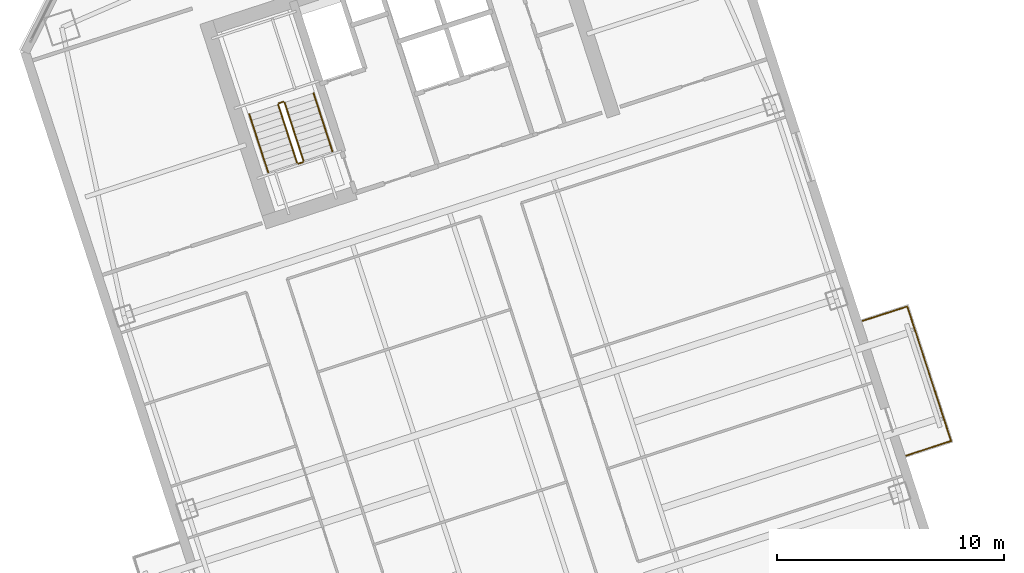
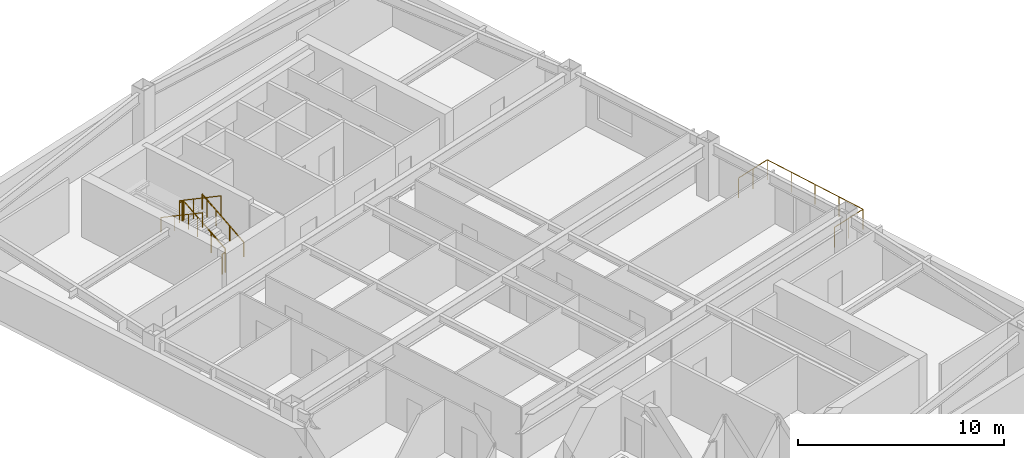
# One storey, part 22 of 22: 7 railings.
"""IFC4 building model written with IfcOpenShell, lengths in metres."""

from ifc_helpers import new_model, si_unit, direction, frame, origin, origin_2d, place, context, subcontext, project, spatial, circle, extrude, material, type_object, element, save


model = new_model("IFC4")

# Units and contexts
model_context = context("Model", 3, precision=1e-05, world=origin(), true_north=direction((0.0, 1.0)))
body_context = subcontext(model_context, "Body", "Model", "MODEL_VIEW")
ifc_project = project(units=[si_unit("LENGTHUNIT", "METRE"), si_unit("AREAUNIT", "SQUARE_METRE"), si_unit("VOLUMEUNIT", "CUBIC_METRE"), si_unit("PLANEANGLEUNIT", "RADIAN"), si_unit("MASSUNIT", "GRAM", prefix="KILO")], contexts=[model_context])

# Site, building, storey
site_placement = place(None, origin())
site = spatial("IfcSite", under=ifc_project, at=site_placement, CompositionType="ELEMENT")
building_placement = place(site_placement, origin())
building = spatial("IfcBuilding", under=site, at=building_placement, Name="Qiaolan Cultural Towers", CompositionType="ELEMENT")
storey_placement = place(building_placement, frame((0.0, 0.0, 146.050048828125)))
storey = spatial("IfcBuildingStorey", under=building, at=storey_placement, Name="L38", CompositionType="ELEMENT", Elevation=146.050048828125)

# Railings
ifc_material_1 = material(Name="Laminated SentryGlas & Stainless Steel S31608 Balustrade", Category="steel")
railing_type_1 = type_object("IfcRailingType", Name="GRD-TERR-1200", PredefinedType="BALUSTRADE", material=ifc_material_1)
railing_1_placement = place(storey_placement, frame((107.39794921875, 31.74609375, 0.0)))
element("IfcRailing", 1, at=railing_1_placement, inside=storey, type_object=railing_type_1, Name="L38 T2 Tree Balcony Guardrail E", PredefinedType="BALUSTRADE", context=body_context, shape_type="SweptSolid", body=[
    extrude(circle(Radius=0.02392578125, at=origin_2d()), frame((0.0, 0.0, 1.17578125), z_axis=(0.951061799618, 0.309000733507, 0.0), x_axis=(-0.309000733507, 0.951061799618, 0.0)), (0.0, 0.0, 1.0), 2.070068359375),
    extrude(circle(Radius=0.02392578125, at=origin_2d()), frame((1.96875, 0.6396484375, 1.17578125), z_axis=(-0.30901175762, 0.951058217804, 0.0), x_axis=(-0.951058217804, -0.30901175762, 0.0)), (0.0, 0.0, 1.0), 6.239990234375),
    extrude(circle(Radius=0.02392578125, at=origin_2d()), frame((0.04052734375, 6.57421875, 1.17578125), z_axis=(-0.951061799618, -0.309000733507, 0.0), x_axis=(0.309000733507, -0.951061799618, 0.0)), (0.0, 0.0, 1.0), 2.070068359375),
    extrude(circle(Radius=0.02099609375, at=origin_2d()), origin(), (0.0, 0.0, 1.0), 1.15185546875),
    extrude(circle(Radius=0.02099609375, at=origin_2d()), frame((0.984375, 0.31982421875, 0.0)), (0.0, 0.0, 1.0), 1.15185546875),
    extrude(circle(Radius=0.02099609375, at=origin_2d()), frame((1.96875, 0.6396484375, 0.0)), (0.0, 0.0, 1.0), 1.15185546875),
    extrude(circle(Radius=0.02099609375, at=origin_2d()), frame((1.48681640625, 2.123291015625, 0.0)), (0.0, 0.0, 1.0), 1.15185546875),
    extrude(circle(Radius=0.02099609375, at=origin_2d()), frame((1.004638671875, 3.60693359375, 0.0)), (0.0, 0.0, 1.0), 1.15185546875),
    extrude(circle(Radius=0.02099609375, at=origin_2d()), frame((0.5224609375, 5.090576171875, 0.0)), (0.0, 0.0, 1.0), 1.15185546875),
    extrude(circle(Radius=0.02099609375, at=origin_2d()), frame((0.04052734375, 6.57421875, 0.0)), (0.0, 0.0, 1.0), 1.15185546875),
    extrude(circle(Radius=0.02099609375, at=origin_2d()), frame((-0.94384765625, 6.25439453125, 0.0)), (0.0, 0.0, 1.0), 1.15185546875),
    extrude(circle(Radius=0.02099609375, at=origin_2d()), frame((-1.92822265625, 5.9345703125, 0.0)), (0.0, 0.0, 1.0), 1.15185546875),
])
ifc_material_2 = material(Name="Galvanized Painted Steel Stair Guardrail", Category="steel")
railing_type_2 = type_object("IfcRailingType", Name="RL-STAIR-GRD", PredefinedType="GUARDRAIL", material=ifc_material_2)
railing_2_placement = place(storey_placement, frame((80.822021484375, 44.739501953125, 0.17236328125)))
element("IfcRailing", 2, at=railing_2_placement, inside=storey, type_object=railing_type_2, Name="L38 ST-E2 stair guard 1", PredefinedType="GUARDRAIL", context=body_context, shape_type="SweptSolid", body=[
    extrude(circle(Radius=0.02392578125, at=origin_2d()), frame((0.0, 0.0, 1.17578125), z_axis=(-0.26785290645, 0.824488402118, 0.498471358535), x_axis=(-0.951069945308, -0.308975661068, 0.0)), (0.0, 0.0, 1.0), 3.114501953125),
    extrude(circle(Radius=0.02099609375, at=origin_2d()), origin(), (0.0, 0.0, 1.0), 1.15185546875),
    extrude(circle(Radius=0.02099609375, at=origin_2d()), frame((-0.278076171875, 0.85595703125, 0.517578125)), (0.0, 0.0, 1.0), 1.15185546875),
    extrude(circle(Radius=0.02099609375, at=origin_2d()), frame((-0.55615234375, 1.7119140625, 1.034912109375)), (0.0, 0.0, 1.0), 1.15185546875),
    extrude(circle(Radius=0.02099609375, at=origin_2d()), frame((-0.834228515625, 2.56787109375, 1.552490234375)), (0.0, 0.0, 1.0), 1.15185546875),
])
railing_3_placement = place(storey_placement, frame((79.9248046875, 47.33935546875, 1.724853515625)))
element("IfcRailing", 3, at=railing_3_placement, inside=storey, type_object=railing_type_2, Name="L38 ST-E2 stair guard 2", PredefinedType="GUARDRAIL", context=body_context, shape_type="SweptSolid", body=[
    extrude(circle(Radius=0.02392578125, at=origin_2d()), frame((0.0, 0.0, 1.17578125), z_axis=(-0.951096855055, -0.308892816854, 0.0), x_axis=(0.308892816854, -0.951096855055, 0.0)), (0.0, 0.0, 1.0), 0.199951171875),
    extrude(circle(Radius=0.02099609375, at=origin_2d()), origin(), (0.0, 0.0, 1.0), 1.15185546875),
    extrude(circle(Radius=0.02099609375, at=origin_2d()), frame((-0.190185546875, -0.061767578125, 0.0)), (0.0, 0.0, 1.0), 1.15185546875),
])
railing_4_placement = place(storey_placement, frame((79.702392578125, 47.214599609375, 1.8974609375)))
element("IfcRailing", 4, at=railing_4_placement, inside=storey, type_object=railing_type_2, Name="L38 ST-E2 stair guard 3", PredefinedType="GUARDRAIL", context=body_context, shape_type="SweptSolid", body=[
    extrude(circle(Radius=0.02392578125, at=origin_2d()), frame((0.0, 0.0, 1.17578125), z_axis=(0.267925668498, -0.824471088726, 0.498460891159), x_axis=(0.951043371037, 0.309057448393, 0.0)), (0.0, 0.0, 1.0), 3.114501953125),
    extrude(circle(Radius=0.02099609375, at=origin_2d()), origin(), (0.0, 0.0, 1.0), 1.15185546875),
    extrude(circle(Radius=0.02099609375, at=origin_2d()), frame((0.278076171875, -0.85595703125, 0.517578125)), (0.0, 0.0, 1.0), 1.15185546875),
    extrude(circle(Radius=0.02099609375, at=origin_2d()), frame((0.556396484375, -1.7119140625, 1.034912109375)), (0.0, 0.0, 1.0), 1.15185546875),
    extrude(circle(Radius=0.02099609375, at=origin_2d()), frame((0.83447265625, -2.56787109375, 1.552490234375)), (0.0, 0.0, 1.0), 1.15185546875),
])
railing_5_placement = place(storey_placement, frame((80.7900390625, 44.676513671875, 0.0)))
element("IfcRailing", 5, at=railing_5_placement, inside=storey, type_object=railing_type_2, Name="L38 ST-E2 stair guard 4", PredefinedType="GUARDRAIL", context=body_context, shape_type="SweptSolid", body=[
    extrude(circle(Radius=0.02392578125, at=origin_2d()), frame((0.0, 0.0, 1.17578125), z_axis=(-0.951096855055, -0.308892816854, 0.0), x_axis=(0.308892816854, -0.951096855055, 0.0)), (0.0, 0.0, 1.0), 0.199951171875),
    extrude(circle(Radius=0.02099609375, at=origin_2d()), origin(), (0.0, 0.0, 1.0), 1.15185546875),
    extrude(circle(Radius=0.02099609375, at=origin_2d()), frame((-0.190185546875, -0.061767578125, 0.0)), (0.0, 0.0, 1.0), 1.15185546875),
])
ifc_material_3 = material(Name="Stainless Steel S30408 Tubular Handrail", Category="steel")
railing_type_3 = type_object("IfcRailingType", Name="RL-STAIR-HR", PredefinedType="HANDRAIL", material=ifc_material_3)
railing_6_placement = place(storey_placement, frame((82.096435546875, 45.153564453125, 0.17236328125)))
element("IfcRailing", 6, at=railing_6_placement, inside=storey, type_object=railing_type_3, Name="L38 ST-E2 stair handrail 1", PredefinedType="HANDRAIL", context=body_context, shape_type="SweptSolid", body=[
    extrude(circle(Radius=0.02392578125, at=origin_2d()), frame((0.0, 0.0, 0.8759765625), z_axis=(-0.26785290645, 0.824488402118, 0.498471358535), x_axis=(-0.951069945308, -0.308975661068, 0.0)), (0.0, 0.0, 1.0), 3.114501953125),
    extrude(circle(Radius=0.02099609375, at=origin_2d()), origin(), (0.0, 0.0, 1.0), 0.851806640625),
    extrude(circle(Radius=0.02099609375, at=origin_2d()), frame((-0.278076171875, 0.85595703125, 0.517578125)), (0.0, 0.0, 1.0), 0.851806640625),
    extrude(circle(Radius=0.02099609375, at=origin_2d()), frame((-0.55615234375, 1.7119140625, 1.034912109375)), (0.0, 0.0, 1.0), 0.851806640625),
    extrude(circle(Radius=0.02099609375, at=origin_2d()), frame((-0.834228515625, 2.56787109375, 1.552490234375)), (0.0, 0.0, 1.0), 0.851806640625),
])
railing_7_placement = place(storey_placement, frame((78.427978515625, 46.800537109375, 1.8974609375)))
element("IfcRailing", 7, at=railing_7_placement, inside=storey, type_object=railing_type_3, Name="L38 ST-E2 stair handrail 2", PredefinedType="HANDRAIL", context=body_context, shape_type="SweptSolid", body=[
    extrude(circle(Radius=0.02392578125, at=origin_2d()), frame((0.0, 0.0, 0.8759765625), z_axis=(0.267925668498, -0.824471088726, 0.498460891159), x_axis=(0.951043371037, 0.309057448393, 0.0)), (0.0, 0.0, 1.0), 3.114501953125),
    extrude(circle(Radius=0.02099609375, at=origin_2d()), origin(), (0.0, 0.0, 1.0), 0.851806640625),
    extrude(circle(Radius=0.02099609375, at=origin_2d()), frame((0.278076171875, -0.85595703125, 0.517578125)), (0.0, 0.0, 1.0), 0.851806640625),
    extrude(circle(Radius=0.02099609375, at=origin_2d()), frame((0.556396484375, -1.7119140625, 1.034912109375)), (0.0, 0.0, 1.0), 0.851806640625),
    extrude(circle(Radius=0.02099609375, at=origin_2d()), frame((0.83447265625, -2.56787109375, 1.552490234375)), (0.0, 0.0, 1.0), 0.851806640625),
])

save(model, "model.ifc")
